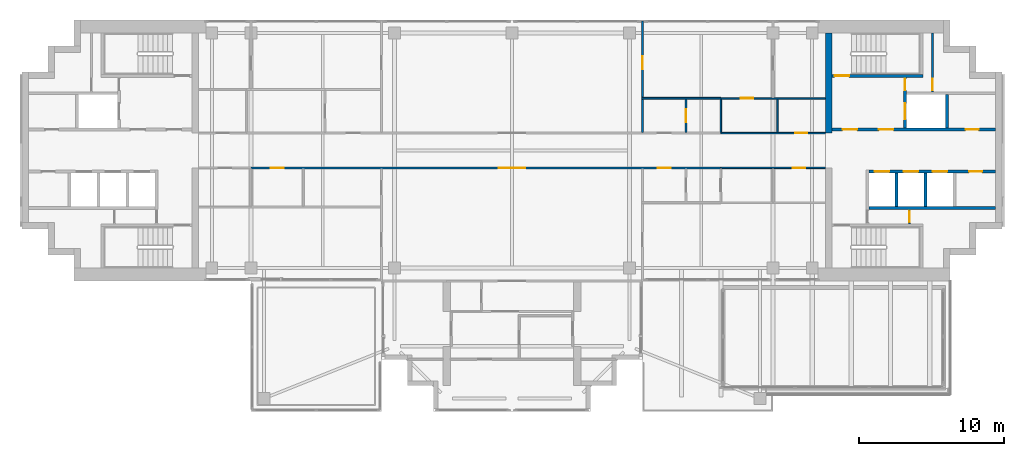
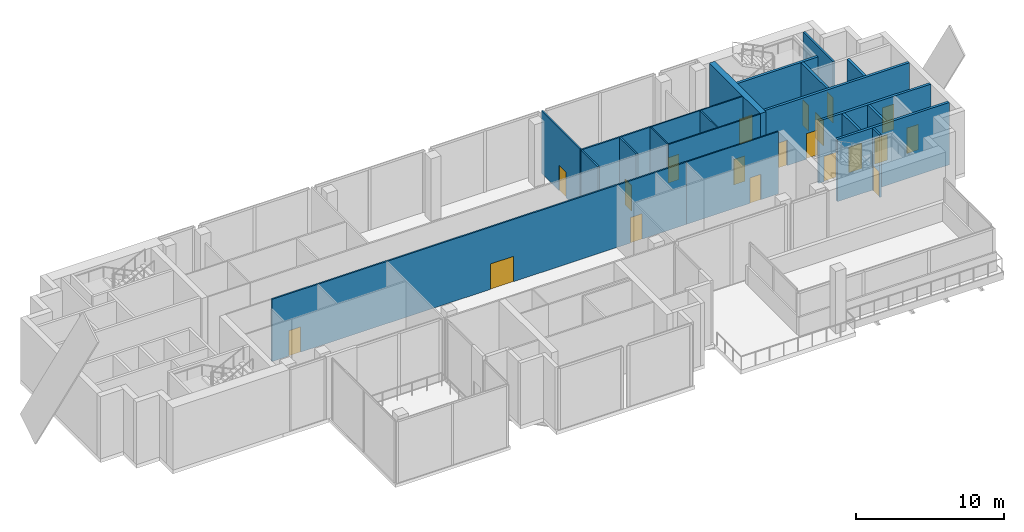
# One storey, part 9 of 14: 20 doors, 20 walls, 20 openings.
"""IFC4 building model written with IfcOpenShell, lengths in metres."""

from ifc_helpers import new_model, si_unit, direction, frame, frame_2d, origin, place, context, subcontext, project, spatial, rectangle, extrude, material, layer, layer_set, type_object, element, fill, save


model = new_model("IFC4")

# Units and contexts
model_context = context("Model", 3, precision=1e-05, world=origin(), true_north=direction((0.0, 1.0)))
body_context = subcontext(model_context, "Body", "Model", "MODEL_VIEW")
ifc_project = project(units=[si_unit("LENGTHUNIT", "METRE"), si_unit("AREAUNIT", "SQUARE_METRE"), si_unit("VOLUMEUNIT", "CUBIC_METRE"), si_unit("PLANEANGLEUNIT", "RADIAN"), si_unit("MASSUNIT", "GRAM", prefix="KILO")], contexts=[model_context])

# Site, building, storey
site_placement = place(None, origin())
site = spatial("IfcSite", under=ifc_project, at=site_placement, CompositionType="ELEMENT")
building_placement = place(site_placement, origin())
building = spatial("IfcBuilding", under=site, at=building_placement, Name="Perihelion Cross Residences", CompositionType="ELEMENT")
storey_placement = place(building_placement, frame((0.0, 0.0, 285.0)))
storey = spatial("IfcBuildingStorey", under=building, at=storey_placement, Name="L73", CompositionType="ELEMENT", Elevation=285.0)

# Wall
ifc_material_1 = material(Name="Concrete C60/75", Category="concrete")
ifc_layer_1 = layer(ifc_material_1, 0.449951171875)
ifc_layer_set_1 = layer_set([ifc_layer_1], Name="Core wall, inner 450")
wall_type_1 = type_object("IfcWallType", Name="Core wall, inner 450", PredefinedType="SHEAR", material=ifc_layer_set_1)
wall_1_placement = place(storey_placement, frame((21.824951171875, 1.199951171875, 0.0), z_axis=(0.0, 0.0, 1.0), x_axis=(0.0, 1.0, 0.0)))
element("IfcWall", 1, at=wall_1_placement, inside=storey, type_object=wall_type_1, Name="East core core wall, inner", PredefinedType="SHEAR", context=body_context, shape_type="SweptSolid", body=[
    extrude(rectangle(XDim=6.900146484375, YDim=0.449951171875, at=frame_2d((3.4501953125, 0.0))), origin(), (0.0, 0.0, 1.0), 5.14990234375),
])

# Wall, openings, doors
ifc_material_2 = material(Name="Plasterboard partition")
ifc_layer_2 = layer(ifc_material_2, 0.1201171875)
ifc_layer_set_2 = layer_set([ifc_layer_2], Name="Partition wall 120")
wall_type_2 = type_object("IfcWallType", Name="Partition wall 120", PredefinedType="PARTITIONING", material=ifc_layer_set_2)
wall_2_placement = place(storey_placement, frame((14.39990234375, -1.199951171875, 0.0), z_axis=(0.0, 0.0, 1.0), x_axis=(-1.0, 0.0, 0.0)))
wall_2 = element("IfcWall", 2, at=wall_2_placement, inside=storey, type_object=wall_type_2, Name="Partition L73 W002", PredefinedType="PARTITIONING", context=body_context, shape_type="SweptSolid", body=[
    extrude(rectangle(XDim=32.39990234375, YDim=0.1201171875, at=frame_2d((16.199951171875, 0.0))), origin(), (0.0, 0.0, 1.0), 5.14990234375),
])
opening_1_placement = place(wall_2_placement, frame((13.5, 0.0, 0.0)))
opening_1 = element("IfcOpeningElement", 3, at=opening_1_placement, cuts=wall_2, Name="Opening L73.A02", PredefinedType="OPENING", context=body_context, shape_type="SweptSolid", body=[
    extrude(rectangle(XDim=1.800048828125, YDim=2.10009765625, at=frame_2d((0.89990234375, 1.050048828125))), frame((0.0, 0.070068359375, 0.0), z_axis=(0.0, -1.0, 0.0), x_axis=(1.0, 0.0, 0.0)), (0.0, 0.0, 1.0), 0.14013671875),
])
opening_2_placement = place(wall_2_placement, frame((3.449951171875, 0.0, 0.0)))
opening_2 = element("IfcOpeningElement", 4, at=opening_2_placement, cuts=wall_2, Name="Opening L73.A05", PredefinedType="OPENING", context=body_context, shape_type="SweptSolid", body=[
    extrude(rectangle(XDim=0.89990234375, YDim=2.10009765625, at=frame_2d((0.449951171875, 1.050048828125))), frame((0.0, 0.070068359375, 0.0), z_axis=(0.0, -1.0, 0.0), x_axis=(1.0, 0.0, 0.0)), (0.0, 0.0, 1.0), 0.14013671875),
])
opening_3_placement = place(wall_2_placement, frame((30.14990234375, 0.0, 0.0)))
opening_3 = element("IfcOpeningElement", 5, at=opening_3_placement, cuts=wall_2, Name="Opening L73.A09", PredefinedType="OPENING", context=body_context, shape_type="SweptSolid", body=[
    extrude(rectangle(XDim=0.89990234375, YDim=2.10009765625, at=frame_2d((0.449951171875, 1.050048828125))), frame((0.0, 0.070068359375, 0.0), z_axis=(0.0, -1.0, 0.0), x_axis=(1.0, 0.0, 0.0)), (0.0, 0.0, 1.0), 0.14013671875),
])
ifc_material_3 = material(Name="Glazed timber door leaf", Category="wood")
door_type_1 = type_object("IfcDoorType", Name="Interior double leaf door 1800 x 2100", OperationType="DOUBLE_DOOR_SINGLE_SWING", PredefinedType="DOOR", material=ifc_material_3)
door_1_placement = place(opening_1_placement, origin())
door_1 = element("IfcDoor", 6, at=door_1_placement, inside=storey, type_object=door_type_1, Name="Door L73.A02", OperationType="SINGLE_SWING_LEFT", OverallHeight=2.10009765625, OverallWidth=1.800048828125, PredefinedType="DOOR", context=body_context, shape_type="SweptSolid", body=[
    extrude(rectangle(XDim=1.800048828125, YDim=2.10009765625, at=frame_2d((0.89990234375, 1.050048828125))), frame((0.0, 0.02490234375, 0.0), z_axis=(0.0, -1.0, 0.0), x_axis=(1.0, 0.0, 0.0)), (0.0, 0.0, 1.0), 0.050048828125),
])
fill(opening_1, door_1)
ifc_material_4 = material(Name="Timber door leaf", Category="wood")
door_type_2 = type_object("IfcDoorType", Name="Interior room door 900 x 2100", OperationType="SINGLE_SWING_LEFT", PredefinedType="DOOR", material=ifc_material_4)
door_2_placement = place(opening_2_placement, origin())
door_2 = element("IfcDoor", 7, at=door_2_placement, inside=storey, type_object=door_type_2, Name="Door L73.A05", OperationType="SINGLE_SWING_LEFT", OverallHeight=2.10009765625, OverallWidth=0.89990234375, PredefinedType="DOOR", context=body_context, shape_type="SweptSolid", body=[
    extrude(rectangle(XDim=0.89990234375, YDim=2.10009765625, at=frame_2d((0.449951171875, 1.050048828125))), frame((0.0, 0.02490234375, 0.0), z_axis=(0.0, -1.0, 0.0), x_axis=(1.0, 0.0, 0.0)), (0.0, 0.0, 1.0), 0.050048828125),
])
fill(opening_2, door_2)
door_3_placement = place(opening_3_placement, origin())
door_3 = element("IfcDoor", 8, at=door_3_placement, inside=storey, type_object=door_type_2, Name="Door L73.A09", OperationType="SINGLE_SWING_LEFT", OverallHeight=2.10009765625, OverallWidth=0.89990234375, PredefinedType="DOOR", context=body_context, shape_type="SweptSolid", body=[
    extrude(rectangle(XDim=0.89990234375, YDim=2.10009765625, at=frame_2d((0.449951171875, 1.050048828125))), frame((0.0, 0.02490234375, 0.0), z_axis=(0.0, -1.0, 0.0), x_axis=(1.0, 0.0, 0.0)), (0.0, 0.0, 1.0), 0.050048828125),
])
fill(opening_3, door_3)

# Wall, opening, door
wall_3_placement = place(storey_placement, frame((9.0, 8.919921875, 0.0), z_axis=(0.0, 0.0, 1.0), x_axis=(0.0, -1.0, 0.0)))
wall_3 = element("IfcWall", 9, at=wall_3_placement, inside=storey, type_object=wall_type_2, Name="Partition L73 W007", PredefinedType="PARTITIONING", context=body_context, shape_type="SweptSolid", body=[
    extrude(rectangle(XDim=7.659912109375, YDim=0.1201171875, at=frame_2d((3.830078125, 0.0))), origin(), (0.0, 0.0, 1.0), 5.14990234375),
])
opening_4_placement = place(wall_3_placement, frame((2.419921875, 0.0, 0.0)))
opening_4 = element("IfcOpeningElement", 10, at=opening_4_placement, cuts=wall_3, Name="Opening L73.A15", PredefinedType="OPENING", context=body_context, shape_type="SweptSolid", body=[
    extrude(rectangle(XDim=0.89990234375, YDim=2.10009765625, at=frame_2d((0.449951171875, 1.050048828125))), frame((0.0, 0.070068359375, 0.0), z_axis=(0.0, -1.0, 0.0), x_axis=(1.0, 0.0, 0.0)), (0.0, 0.0, 1.0), 0.14013671875),
])
door_4_placement = place(opening_4_placement, origin())
door_4 = element("IfcDoor", 11, at=door_4_placement, inside=storey, type_object=door_type_2, Name="Door L73.A15", OperationType="SINGLE_SWING_RIGHT", OverallHeight=2.10009765625, OverallWidth=0.89990234375, PredefinedType="DOOR", context=body_context, shape_type="SweptSolid", body=[
    extrude(rectangle(XDim=0.89990234375, YDim=2.10009765625, at=frame_2d((0.449951171875, 1.050048828125))), frame((0.0, 0.02490234375, 0.0), z_axis=(0.0, -1.0, 0.0), x_axis=(1.0, 0.0, 0.0)), (0.0, 0.0, 1.0), 0.050048828125),
])
fill(opening_4, door_4)

# Wall
wall_4_placement = place(storey_placement, frame((14.39990234375, 3.60009765625, 0.0), z_axis=(0.0, 0.0, 1.0), x_axis=(-1.0, 0.0, 0.0)))
element("IfcWall", 12, at=wall_4_placement, inside=storey, type_object=wall_type_2, Name="Partition L73 W015", PredefinedType="PARTITIONING", context=body_context, shape_type="SweptSolid", body=[
    extrude(rectangle(XDim=5.4599609375, YDim=0.1201171875, at=frame_2d((2.72998046875, 0.0))), origin(), (0.0, 0.0, 1.0), 5.14990234375),
])

# Wall, opening, door
wall_5_placement = place(storey_placement, frame((12.0, 3.5400390625, 0.0), z_axis=(0.0, 0.0, 1.0), x_axis=(0.0, -1.0, 0.0)))
wall_5 = element("IfcWall", 13, at=wall_5_placement, inside=storey, type_object=wall_type_2, Name="Partition L73 W017", PredefinedType="PARTITIONING", context=body_context, shape_type="SweptSolid", body=[
    extrude(rectangle(XDim=2.280029296875, YDim=0.1201171875, at=frame_2d((1.14013671875, 0.0))), origin(), (0.0, 0.0, 1.0), 5.14990234375),
])
opening_5_placement = place(wall_5_placement, frame((0.68994140625, 0.0, 0.0)))
opening_5 = element("IfcOpeningElement", 14, at=opening_5_placement, cuts=wall_5, Name="Opening L73.A19", PredefinedType="OPENING", context=body_context, shape_type="SweptSolid", body=[
    extrude(rectangle(XDim=0.89990234375, YDim=2.10009765625, at=frame_2d((0.449951171875, 1.050048828125))), frame((0.0, 0.070068359375, 0.0), z_axis=(0.0, -1.0, 0.0), x_axis=(1.0, 0.0, 0.0)), (0.0, 0.0, 1.0), 0.14013671875),
])
door_5_placement = place(opening_5_placement, origin())
door_5 = element("IfcDoor", 15, at=door_5_placement, inside=storey, type_object=door_type_2, Name="Door L73.A19", OperationType="SINGLE_SWING_RIGHT", OverallHeight=2.10009765625, OverallWidth=0.89990234375, PredefinedType="DOOR", context=body_context, shape_type="SweptSolid", body=[
    extrude(rectangle(XDim=0.89990234375, YDim=2.10009765625, at=frame_2d((0.449951171875, 1.050048828125))), frame((0.0, 0.02490234375, 0.0), z_axis=(0.0, -1.0, 0.0), x_axis=(1.0, 0.0, 0.0)), (0.0, 0.0, 1.0), 0.050048828125),
])
fill(opening_5, door_5)

ifc_material_5 = material(Name="Fire-rated board on steel stud", Category="steel")
ifc_layer_3 = layer(ifc_material_5, 0.14990234375)
ifc_layer_set_3 = layer_set([ifc_layer_3], Name="Riser wall 150")
wall_type_3 = type_object("IfcWallType", Name="Riser wall 150", PredefinedType="PARTITIONING", material=ifc_layer_set_3)
wall_6_placement = place(storey_placement, frame((29.0, 4.050048828125, 0.0), z_axis=(0.0, 0.0, 1.0), x_axis=(0.0, 1.0, 0.0)))
wall_6 = element("IfcWall", 16, at=wall_6_placement, inside=storey, type_object=wall_type_3, Name="East core riser wall", PredefinedType="PARTITIONING", context=body_context, shape_type="SweptSolid", body=[
    extrude(rectangle(XDim=4.050048828125, YDim=0.14990234375, at=frame_2d((2.02490234375, 0.0))), origin(), (0.0, 0.0, 1.0), 5.14990234375),
])
opening_6_placement = place(wall_6_placement, frame((0.10009765625, 0.0, 0.0)))
opening_6 = element("IfcOpeningElement", 17, at=opening_6_placement, cuts=wall_6, Name="Opening L73.C12", PredefinedType="OPENING", context=body_context, shape_type="SweptSolid", body=[
    extrude(rectangle(XDim=0.800048828125, YDim=2.10009765625, at=frame_2d((0.39990234375, 1.050048828125))), frame((0.0, 0.0849609375, 0.0), z_axis=(0.0, -1.0, 0.0), x_axis=(1.0, 0.0, 0.0)), (0.0, 0.0, 1.0), 0.169921875),
])
ifc_material_6 = material(Name="Steel, powder coated", Category="steel")
door_type_3 = type_object("IfcDoorType", Name="Riser door 800", OperationType="SINGLE_SWING_LEFT", PredefinedType="DOOR", material=ifc_material_6)
door_6_placement = place(opening_6_placement, origin())
door_6 = element("IfcDoor", 18, at=door_6_placement, inside=storey, type_object=door_type_3, Name="East core riser door", OperationType="SINGLE_SWING_LEFT", OverallHeight=2.10009765625, OverallWidth=0.800048828125, PredefinedType="DOOR", context=body_context, shape_type="SweptSolid", body=[
    extrude(rectangle(XDim=0.800048828125, YDim=2.10009765625, at=frame_2d((0.39990234375, 1.050048828125))), frame((0.0, 0.02490234375, 0.0), z_axis=(0.0, -1.0, 0.0), x_axis=(1.0, 0.0, 0.0)), (0.0, 0.0, 1.0), 0.050048828125),
])
fill(opening_6, door_6)

wall_7_placement = place(storey_placement, frame((27.39990234375, -5.050048828125, 0.0), z_axis=(0.0, 0.0, 1.0), x_axis=(0.0, 1.0, 0.0)))
wall_7 = element("IfcWall", 19, at=wall_7_placement, inside=storey, type_object=wall_type_3, Name="East core riser wall", PredefinedType="PARTITIONING", context=body_context, shape_type="SweptSolid", body=[
    extrude(rectangle(XDim=1.0, YDim=0.14990234375, at=frame_2d((0.5, 0.0))), origin(), (0.0, 0.0, 1.0), 5.14990234375),
])
opening_7_placement = place(wall_7_placement, frame((0.10009765625, 0.0, 0.0)))
opening_7 = element("IfcOpeningElement", 20, at=opening_7_placement, cuts=wall_7, Name="Opening L73.C11", PredefinedType="OPENING", context=body_context, shape_type="SweptSolid", body=[
    extrude(rectangle(XDim=0.800048828125, YDim=2.10009765625, at=frame_2d((0.39990234375, 1.050048828125))), frame((0.0, 0.0849609375, 0.0), z_axis=(0.0, -1.0, 0.0), x_axis=(1.0, 0.0, 0.0)), (0.0, 0.0, 1.0), 0.169921875),
])
door_7_placement = place(opening_7_placement, origin())
door_7 = element("IfcDoor", 21, at=door_7_placement, inside=storey, type_object=door_type_3, Name="East core riser door", OperationType="SINGLE_SWING_LEFT", OverallHeight=2.10009765625, OverallWidth=0.800048828125, PredefinedType="DOOR", context=body_context, shape_type="SweptSolid", body=[
    extrude(rectangle(XDim=0.800048828125, YDim=2.10009765625, at=frame_2d((0.39990234375, 1.050048828125))), frame((0.0, 0.02490234375, 0.0), z_axis=(0.0, -1.0, 0.0), x_axis=(1.0, 0.0, 0.0)), (0.0, 0.0, 1.0), 0.050048828125),
])
fill(opening_7, door_7)

# Wall, openings, doors
ifc_material_7 = material(Name="Concrete C50/60", Category="concrete")
ifc_layer_4 = layer(ifc_material_7, 0.199951171875)
ifc_layer_set_4 = layer_set([ifc_layer_4], Name="Shaft wall 200")
wall_type_4 = type_object("IfcWallType", Name="Shaft wall 200", PredefinedType="SOLIDWALL", material=ifc_layer_set_4)
wall_8_placement = place(storey_placement, frame((22.050048828125, 1.449951171875, 0.0), z_axis=(0.0, 0.0, 1.0), x_axis=(1.0, 0.0, 0.0)))
wall_8 = element("IfcWall", 22, at=wall_8_placement, inside=storey, type_object=wall_type_4, Name="East core shaft wall", PredefinedType="SOLIDWALL", context=body_context, shape_type="SweptSolid", body=[
    extrude(rectangle(XDim=11.300048828125, YDim=0.199951171875, at=frame_2d((5.64990234375, 0.0))), origin(), (0.0, 0.0, 1.0), 5.14990234375),
])
opening_8_placement = place(wall_8_placement, frame((0.75, 0.0, 0.0)))
opening_8 = element("IfcOpeningElement", 23, at=opening_8_placement, cuts=wall_8, Name="Opening L73.C07", PredefinedType="OPENING", context=body_context, shape_type="SweptSolid", body=[
    extrude(rectangle(XDim=1.0, YDim=2.10009765625, at=frame_2d((0.5, 1.050048828125))), frame((0.0, 0.10986328125, 0.0), z_axis=(0.0, -1.0, 0.0), x_axis=(1.0, 0.0, 0.0)), (0.0, 0.0, 1.0), 0.219970703125),
])
opening_9_placement = place(wall_8_placement, frame((3.25, 0.0, 0.0)))
opening_9 = element("IfcOpeningElement", 24, at=opening_9_placement, cuts=wall_8, Name="Opening L73.C09", PredefinedType="OPENING", context=body_context, shape_type="SweptSolid", body=[
    extrude(rectangle(XDim=1.0, YDim=2.10009765625, at=frame_2d((0.5, 1.050048828125))), frame((0.0, 0.10986328125, 0.0), z_axis=(0.0, -1.0, 0.0), x_axis=(1.0, 0.0, 0.0)), (0.0, 0.0, 1.0), 0.219970703125),
])
opening_10_placement = place(wall_8_placement, frame((9.22509765625, 0.0, 0.0)))
opening_10 = element("IfcOpeningElement", 25, at=opening_10_placement, cuts=wall_8, Name="Opening L73.C13", PredefinedType="OPENING", context=body_context, shape_type="SweptSolid", body=[
    extrude(rectangle(XDim=0.89990234375, YDim=2.10009765625, at=frame_2d((0.449951171875, 1.050048828125))), frame((0.0, 0.10986328125, 0.0), z_axis=(0.0, -1.0, 0.0), x_axis=(1.0, 0.0, 0.0)), (0.0, 0.0, 1.0), 0.219970703125),
])
ifc_material_8 = material(Name="Steel, powder coated", Category="steel")
door_type_4 = type_object("IfcDoorType", Name="Lobby door 1000", OperationType="SINGLE_SWING_LEFT", PredefinedType="DOOR", material=ifc_material_8)
door_8_placement = place(opening_8_placement, origin())
door_8 = element("IfcDoor", 26, at=door_8_placement, inside=storey, type_object=door_type_4, Name="East core firefighting lobby door", OperationType="SINGLE_SWING_LEFT", OverallHeight=2.10009765625, OverallWidth=1.0, PredefinedType="DOOR", context=body_context, shape_type="SweptSolid", body=[
    extrude(rectangle(XDim=1.0, YDim=2.10009765625, at=frame_2d((0.5, 1.050048828125))), frame((0.0, 0.02490234375, 0.0), z_axis=(0.0, -1.0, 0.0), x_axis=(1.0, 0.0, 0.0)), (0.0, 0.0, 1.0), 0.050048828125),
])
fill(opening_8, door_8)
door_9_placement = place(opening_9_placement, origin())
door_9 = element("IfcDoor", 27, at=door_9_placement, inside=storey, type_object=door_type_4, Name="East core firefighting lobby door", OperationType="SINGLE_SWING_LEFT", OverallHeight=2.10009765625, OverallWidth=1.0, PredefinedType="DOOR", context=body_context, shape_type="SweptSolid", body=[
    extrude(rectangle(XDim=1.0, YDim=2.10009765625, at=frame_2d((0.5, 1.050048828125))), frame((0.0, 0.02490234375, 0.0), z_axis=(0.0, -1.0, 0.0), x_axis=(1.0, 0.0, 0.0)), (0.0, 0.0, 1.0), 0.050048828125),
])
fill(opening_9, door_9)
ifc_material_9 = material(Name="Steel, powder coated", Category="steel")
door_type_5 = type_object("IfcDoorType", Name="Service room door 900", OperationType="SINGLE_SWING_LEFT", PredefinedType="DOOR", material=ifc_material_9)
door_10_placement = place(opening_10_placement, origin())
door_10 = element("IfcDoor", 28, at=door_10_placement, inside=storey, type_object=door_type_5, Name="East core service room door", OperationType="SINGLE_SWING_LEFT", OverallHeight=2.10009765625, OverallWidth=0.89990234375, PredefinedType="DOOR", context=body_context, shape_type="SweptSolid", body=[
    extrude(rectangle(XDim=0.89990234375, YDim=2.10009765625, at=frame_2d((0.449951171875, 1.050048828125))), frame((0.0, 0.02490234375, 0.0), z_axis=(0.0, -1.0, 0.0), x_axis=(1.0, 0.0, 0.0)), (0.0, 0.0, 1.0), 0.050048828125),
])
fill(opening_10, door_10)

wall_9_placement = place(storey_placement, frame((24.60009765625, -1.449951171875, 0.0), z_axis=(0.0, 0.0, 1.0), x_axis=(1.0, 0.0, 0.0)))
wall_9 = element("IfcWall", 29, at=wall_9_placement, inside=storey, type_object=wall_type_4, Name="East core shaft wall", PredefinedType="SOLIDWALL", context=body_context, shape_type="SweptSolid", body=[
    extrude(rectangle(XDim=8.75, YDim=0.199951171875, at=frame_2d((4.375, 0.0))), origin(), (0.0, 0.0, 1.0), 5.14990234375),
])
opening_11_placement = place(wall_9_placement, frame((0.39990234375, 0.0, 0.0)))
opening_11 = element("IfcOpeningElement", 30, at=opening_11_placement, cuts=wall_9, Name="Opening L73.C01", PredefinedType="OPENING", context=body_context, shape_type="SweptSolid", body=[
    extrude(rectangle(XDim=1.0, YDim=2.10009765625, at=frame_2d((0.5, 1.050048828125))), frame((0.0, 0.10986328125, 0.0), z_axis=(0.0, -1.0, 0.0), x_axis=(1.0, 0.0, 0.0)), (0.0, 0.0, 1.0), 0.219970703125),
])
opening_12_placement = place(wall_9_placement, frame((2.39990234375, 0.0, 0.0)))
opening_12 = element("IfcOpeningElement", 31, at=opening_12_placement, cuts=wall_9, Name="Opening L73.C03", PredefinedType="OPENING", context=body_context, shape_type="SweptSolid", body=[
    extrude(rectangle(XDim=1.0, YDim=2.10009765625, at=frame_2d((0.5, 1.050048828125))), frame((0.0, 0.10986328125, 0.0), z_axis=(0.0, -1.0, 0.0), x_axis=(1.0, 0.0, 0.0)), (0.0, 0.0, 1.0), 0.219970703125),
])
opening_13_placement = place(wall_9_placement, frame((4.39990234375, 0.0, 0.0)))
opening_13 = element("IfcOpeningElement", 32, at=opening_13_placement, cuts=wall_9, Name="Opening L73.C04", PredefinedType="OPENING", context=body_context, shape_type="SweptSolid", body=[
    extrude(rectangle(XDim=1.0, YDim=2.10009765625, at=frame_2d((0.5, 1.050048828125))), frame((0.0, 0.10986328125, 0.0), z_axis=(0.0, -1.0, 0.0), x_axis=(1.0, 0.0, 0.0)), (0.0, 0.0, 1.0), 0.219970703125),
])
opening_14_placement = place(wall_9_placement, frame((6.925048828125, 0.0, 0.0)))
opening_14 = element("IfcOpeningElement", 33, at=opening_14_placement, cuts=wall_9, Name="Opening L73.C14", PredefinedType="OPENING", context=body_context, shape_type="SweptSolid", body=[
    extrude(rectangle(XDim=0.89990234375, YDim=2.10009765625, at=frame_2d((0.449951171875, 1.050048828125))), frame((0.0, 0.10986328125, 0.0), z_axis=(0.0, -1.0, 0.0), x_axis=(1.0, 0.0, 0.0)), (0.0, 0.0, 1.0), 0.219970703125),
])
ifc_material_10 = material(Name="Stainless steel", Category="steel")
door_type_6 = type_object("IfcDoorType", Name="Landing door 1000", OperationType="DOUBLE_DOOR_SLIDING", PredefinedType="DOOR", material=ifc_material_10)
door_11_placement = place(opening_11_placement, origin())
door_11 = element("IfcDoor", 34, at=door_11_placement, inside=storey, type_object=door_type_6, Name="Landing door, East core high-rise lift 1", OperationType="DOUBLE_DOOR_SLIDING", OverallHeight=2.10009765625, OverallWidth=1.0, PredefinedType="DOOR", context=body_context, shape_type="SweptSolid", body=[
    extrude(rectangle(XDim=1.0, YDim=2.10009765625, at=frame_2d((0.5, 1.050048828125))), frame((0.0, 0.02490234375, 0.0), z_axis=(0.0, -1.0, 0.0), x_axis=(1.0, 0.0, 0.0)), (0.0, 0.0, 1.0), 0.050048828125),
])
fill(opening_11, door_11)
door_12_placement = place(opening_12_placement, origin())
door_12 = element("IfcDoor", 35, at=door_12_placement, inside=storey, type_object=door_type_6, Name="Landing door, East core high-rise lift 2", OperationType="DOUBLE_DOOR_SLIDING", OverallHeight=2.10009765625, OverallWidth=1.0, PredefinedType="DOOR", context=body_context, shape_type="SweptSolid", body=[
    extrude(rectangle(XDim=1.0, YDim=2.10009765625, at=frame_2d((0.5, 1.050048828125))), frame((0.0, 0.02490234375, 0.0), z_axis=(0.0, -1.0, 0.0), x_axis=(1.0, 0.0, 0.0)), (0.0, 0.0, 1.0), 0.050048828125),
])
fill(opening_12, door_12)
door_13_placement = place(opening_13_placement, origin())
door_13 = element("IfcDoor", 36, at=door_13_placement, inside=storey, type_object=door_type_6, Name="Landing door, East core high-rise lift 3", OperationType="DOUBLE_DOOR_SLIDING", OverallHeight=2.10009765625, OverallWidth=1.0, PredefinedType="DOOR", context=body_context, shape_type="SweptSolid", body=[
    extrude(rectangle(XDim=1.0, YDim=2.10009765625, at=frame_2d((0.5, 1.050048828125))), frame((0.0, 0.02490234375, 0.0), z_axis=(0.0, -1.0, 0.0), x_axis=(1.0, 0.0, 0.0)), (0.0, 0.0, 1.0), 0.050048828125),
])
fill(opening_13, door_13)
door_14_placement = place(opening_14_placement, origin())
door_14 = element("IfcDoor", 37, at=door_14_placement, inside=storey, type_object=door_type_5, Name="East core service room door", OperationType="SINGLE_SWING_LEFT", OverallHeight=2.10009765625, OverallWidth=0.89990234375, PredefinedType="DOOR", context=body_context, shape_type="SweptSolid", body=[
    extrude(rectangle(XDim=0.89990234375, YDim=2.10009765625, at=frame_2d((0.449951171875, 1.050048828125))), frame((0.0, 0.02490234375, 0.0), z_axis=(0.0, -1.0, 0.0), x_axis=(1.0, 0.0, 0.0)), (0.0, 0.0, 1.0), 0.050048828125),
])
fill(opening_14, door_14)

# Wall
wall_10_placement = place(storey_placement, frame((24.60009765625, -3.949951171875, 0.0), z_axis=(0.0, 0.0, 1.0), x_axis=(1.0, 0.0, 0.0)))
element("IfcWall", 38, at=wall_10_placement, inside=storey, type_object=wall_type_4, Name="East core shaft wall", PredefinedType="SOLIDWALL", context=body_context, shape_type="SweptSolid", body=[
    extrude(rectangle(XDim=8.75, YDim=0.199951171875, at=frame_2d((4.375, 0.0))), origin(), (0.0, 0.0, 1.0), 5.14990234375),
])

# Wall, openings, doors
wall_11_placement = place(storey_placement, frame((27.10009765625, 1.550048828125, 0.0), z_axis=(0.0, 0.0, 1.0), x_axis=(0.0, 1.0, 0.0)))
wall_11 = element("IfcWall", 39, at=wall_11_placement, inside=storey, type_object=wall_type_4, Name="East core shaft wall", PredefinedType="SOLIDWALL", context=body_context, shape_type="SweptSolid", body=[
    extrude(rectangle(XDim=3.5, YDim=0.199951171875, at=frame_2d((1.75, 0.0))), origin(), (0.0, 0.0, 1.0), 5.14990234375),
])
opening_15_placement = place(wall_11_placement, frame((0.60009765625, 0.0, 0.0)))
opening_15 = element("IfcOpeningElement", 40, at=opening_15_placement, cuts=wall_11, Name="Opening L73.C02", PredefinedType="OPENING", context=body_context, shape_type="SweptSolid", body=[
    extrude(rectangle(XDim=1.10009765625, YDim=2.10009765625, at=frame_2d((0.550048828125, 1.050048828125))), frame((0.0, 0.10986328125, 0.0), z_axis=(0.0, -1.0, 0.0), x_axis=(1.0, 0.0, 0.0)), (0.0, 0.0, 1.0), 0.219970703125),
])
opening_16_placement = place(wall_11_placement, frame((2.60009765625, 0.0, 0.0)))
opening_16 = element("IfcOpeningElement", 41, at=opening_16_placement, cuts=wall_11, Name="Opening L73.C10", PredefinedType="OPENING", context=body_context, shape_type="SweptSolid", body=[
    extrude(rectangle(XDim=0.800048828125, YDim=2.10009765625, at=frame_2d((0.39990234375, 1.050048828125))), frame((0.0, 0.10986328125, 0.0), z_axis=(0.0, -1.0, 0.0), x_axis=(1.0, 0.0, 0.0)), (0.0, 0.0, 1.0), 0.219970703125),
])
ifc_material_11 = material(Name="Stainless steel", Category="steel")
door_type_7 = type_object("IfcDoorType", Name="Landing door, firefighting lift 1100", OperationType="DOUBLE_DOOR_SLIDING", PredefinedType="DOOR", material=ifc_material_11)
door_15_placement = place(opening_15_placement, origin())
door_15 = element("IfcDoor", 42, at=door_15_placement, inside=storey, type_object=door_type_7, Name="Landing door, East core firefighting and service lift", OperationType="DOUBLE_DOOR_SLIDING", OverallHeight=2.10009765625, OverallWidth=1.10009765625, PredefinedType="DOOR", context=body_context, shape_type="SweptSolid", body=[
    extrude(rectangle(XDim=1.10009765625, YDim=2.10009765625, at=frame_2d((0.550048828125, 1.050048828125))), frame((0.0, 0.02490234375, 0.0), z_axis=(0.0, -1.0, 0.0), x_axis=(1.0, 0.0, 0.0)), (0.0, 0.0, 1.0), 0.050048828125),
])
fill(opening_15, door_15)
door_16_placement = place(opening_16_placement, origin())
door_16 = element("IfcDoor", 43, at=door_16_placement, inside=storey, type_object=door_type_3, Name="East core riser door", OperationType="SINGLE_SWING_LEFT", OverallHeight=2.10009765625, OverallWidth=0.800048828125, PredefinedType="DOOR", context=body_context, shape_type="SweptSolid", body=[
    extrude(rectangle(XDim=0.800048828125, YDim=2.10009765625, at=frame_2d((0.39990234375, 1.050048828125))), frame((0.0, 0.02490234375, 0.0), z_axis=(0.0, -1.0, 0.0), x_axis=(1.0, 0.0, 0.0)), (0.0, 0.0, 1.0), 0.050048828125),
])
fill(opening_16, door_16)

# Walls
for number, where, z_axis, x_axis, name in (
    (44, (30.0, 1.550048828125, 0.0), (0.0, 0.0, 1.0), (0.0, 1.0, 0.0), "East core shaft wall"),
    (45, (26.5, -3.85009765625, 0.0), (0.0, 0.0, 1.0), (0.0, 1.0, 0.0), "East core shaft wall"),
    (46, (28.5, -3.85009765625, 0.0), (0.0, 0.0, 1.0), (0.0, 1.0, 0.0), "East core shaft wall"),
):
    element("IfcWall", number, at=place(storey_placement, frame(where, z_axis=z_axis, x_axis=x_axis)), inside=storey, type_object=wall_type_4, Name=name, PredefinedType="SOLIDWALL", context=body_context, shape_type="SweptSolid", body=[
        extrude(rectangle(XDim=2.300048828125, YDim=0.199951171875, at=frame_2d((1.14990234375, 0.0))), origin(), (0.0, 0.0, 1.0), 5.14990234375),
    ])

# Wall, opening, door
ifc_material_12 = material(Name="Concrete C50/60", Category="concrete")
ifc_layer_5 = layer(ifc_material_12, 0.199951171875)
ifc_layer_set_5 = layer_set([ifc_layer_5], Name="Stair wall 200")
wall_type_5 = type_object("IfcWallType", Name="Stair wall 200", PredefinedType="SOLIDWALL", material=ifc_layer_set_5)
wall_12_placement = place(storey_placement, frame((22.050048828125, 5.14990234375, 0.0), z_axis=(0.0, 0.0, 1.0), x_axis=(1.0, 0.0, 0.0)))
wall_12 = element("IfcWall", 47, at=wall_12_placement, inside=storey, type_object=wall_type_5, Name="East core stair wall", PredefinedType="SOLIDWALL", context=body_context, shape_type="SweptSolid", body=[
    extrude(rectangle(XDim=6.300048828125, YDim=0.199951171875, at=frame_2d((3.14990234375, 0.0))), origin(), (0.0, 0.0, 1.0), 5.14990234375),
])
opening_17_placement = place(wall_12_placement, frame((0.199951171875, 0.0, 0.0)))
opening_17 = element("IfcOpeningElement", 48, at=opening_17_placement, cuts=wall_12, Name="Opening L73.C06", PredefinedType="OPENING", context=body_context, shape_type="SweptSolid", body=[
    extrude(rectangle(XDim=1.0, YDim=2.10009765625, at=frame_2d((0.5, 1.050048828125))), frame((0.0, 0.10986328125, 0.0), z_axis=(0.0, -1.0, 0.0), x_axis=(1.0, 0.0, 0.0)), (0.0, 0.0, 1.0), 0.219970703125),
])
ifc_material_13 = material(Name="Steel, powder coated", Category="steel")
door_type_8 = type_object("IfcDoorType", Name="Stair door 1000", OperationType="SINGLE_SWING_LEFT", PredefinedType="DOOR", material=ifc_material_13)
door_17_placement = place(opening_17_placement, origin())
door_17 = element("IfcDoor", 49, at=door_17_placement, inside=storey, type_object=door_type_8, Name="East core stair door", OperationType="SINGLE_SWING_LEFT", OverallHeight=2.10009765625, OverallWidth=1.0, PredefinedType="DOOR", context=body_context, shape_type="SweptSolid", body=[
    extrude(rectangle(XDim=1.0, YDim=2.10009765625, at=frame_2d((0.5, 1.050048828125))), frame((0.0, 0.02490234375, 0.0), z_axis=(0.0, -1.0, 0.0), x_axis=(1.0, 0.0, 0.0)), (0.0, 0.0, 1.0), 0.050048828125),
])
fill(opening_17, door_17)

ifc_material_14 = material(Name="Plasterboard partition")
ifc_layer_6 = layer(ifc_material_14, 0.10009765625)
ifc_layer_set_6 = layer_set([ifc_layer_6], Name="Wet room wall 100")
wall_type_6 = type_object("IfcWallType", Name="Wet room wall 100", PredefinedType="PARTITIONING", material=ifc_layer_set_6)
wall_13_placement = place(storey_placement, frame((14.39990234375, 1.199951171875, 0.0), z_axis=(0.0, 0.0, 1.0), x_axis=(1.0, 0.0, 0.0)))
wall_13 = element("IfcWall", 50, at=wall_13_placement, inside=storey, type_object=wall_type_6, Name="Partition L73 W003", PredefinedType="PARTITIONING", context=body_context, shape_type="SweptSolid", body=[
    extrude(rectangle(XDim=7.2001953125, YDim=0.10009765625, at=frame_2d((3.60009765625, 0.0))), origin(), (0.0, 0.0, 1.0), 5.14990234375),
])
opening_18_placement = place(wall_13_placement, frame((5.125, 0.0, 0.0)))
opening_18 = element("IfcOpeningElement", 51, at=opening_18_placement, cuts=wall_13, Name="Opening L73.A04", PredefinedType="OPENING", context=body_context, shape_type="SweptSolid", body=[
    extrude(rectangle(XDim=0.85009765625, YDim=2.10009765625, at=frame_2d((0.425048828125, 1.050048828125))), frame((0.0, 0.06005859375, 0.0), z_axis=(0.0, -1.0, 0.0), x_axis=(1.0, 0.0, 0.0)), (0.0, 0.0, 1.0), 0.1201171875),
])
ifc_material_15 = material(Name="Timber door leaf", Category="wood")
door_type_9 = type_object("IfcDoorType", Name="Interior bathroom door 850 x 2100", OperationType="SINGLE_SWING_LEFT", PredefinedType="DOOR", material=ifc_material_15)
door_18_placement = place(opening_18_placement, origin())
door_18 = element("IfcDoor", 52, at=door_18_placement, inside=storey, type_object=door_type_9, Name="Door L73.A04", OperationType="SINGLE_SWING_LEFT", OverallHeight=2.10009765625, OverallWidth=0.85009765625, PredefinedType="DOOR", context=body_context, shape_type="SweptSolid", body=[
    extrude(rectangle(XDim=0.85009765625, YDim=2.10009765625, at=frame_2d((0.425048828125, 1.050048828125))), frame((0.0, 0.02490234375, 0.0), z_axis=(0.0, -1.0, 0.0), x_axis=(1.0, 0.0, 0.0)), (0.0, 0.0, 1.0), 0.050048828125),
])
fill(opening_18, door_18)

wall_14_placement = place(storey_placement, frame((21.60009765625, -1.199951171875, 0.0), z_axis=(0.0, 0.0, 1.0), x_axis=(-1.0, 0.0, 0.0)))
wall_14 = element("IfcWall", 53, at=wall_14_placement, inside=storey, type_object=wall_type_6, Name="Partition L73 W004", PredefinedType="PARTITIONING", context=body_context, shape_type="SweptSolid", body=[
    extrude(rectangle(XDim=7.2001953125, YDim=0.10009765625, at=frame_2d((3.60009765625, 0.0))), origin(), (0.0, 0.0, 1.0), 5.14990234375),
])
opening_19_placement = place(wall_14_placement, frame((1.375, 0.0, 0.0)))
opening_19 = element("IfcOpeningElement", 54, at=opening_19_placement, cuts=wall_14, Name="Opening L73.A06", PredefinedType="OPENING", context=body_context, shape_type="SweptSolid", body=[
    extrude(rectangle(XDim=0.85009765625, YDim=2.10009765625, at=frame_2d((0.425048828125, 1.050048828125))), frame((0.0, 0.06005859375, 0.0), z_axis=(0.0, -1.0, 0.0), x_axis=(1.0, 0.0, 0.0)), (0.0, 0.0, 1.0), 0.1201171875),
])
door_19_placement = place(opening_19_placement, origin())
door_19 = element("IfcDoor", 55, at=door_19_placement, inside=storey, type_object=door_type_9, Name="Door L73.A06", OperationType="SINGLE_SWING_RIGHT", OverallHeight=2.10009765625, OverallWidth=0.85009765625, PredefinedType="DOOR", context=body_context, shape_type="SweptSolid", body=[
    extrude(rectangle(XDim=0.85009765625, YDim=2.10009765625, at=frame_2d((0.425048828125, 1.050048828125))), frame((0.0, 0.02490234375, 0.0), z_axis=(0.0, -1.0, 0.0), x_axis=(1.0, 0.0, 0.0)), (0.0, 0.0, 1.0), 0.050048828125),
])
fill(opening_19, door_19)

wall_15_placement = place(storey_placement, frame((21.60009765625, 3.60009765625, 0.0), z_axis=(0.0, 0.0, 1.0), x_axis=(-1.0, 0.0, 0.0)))
wall_15 = element("IfcWall", 56, at=wall_15_placement, inside=storey, type_object=wall_type_6, Name="Partition L73 W016", PredefinedType="PARTITIONING", context=body_context, shape_type="SweptSolid", body=[
    extrude(rectangle(XDim=7.2001953125, YDim=0.10009765625, at=frame_2d((3.60009765625, 0.0))), origin(), (0.0, 0.0, 1.0), 5.14990234375),
])
opening_20_placement = place(wall_15_placement, frame((4.97509765625, 0.0, 0.0)))
opening_20 = element("IfcOpeningElement", 57, at=opening_20_placement, cuts=wall_15, Name="Opening L73.A20", PredefinedType="OPENING", context=body_context, shape_type="SweptSolid", body=[
    extrude(rectangle(XDim=0.85009765625, YDim=2.10009765625, at=frame_2d((0.425048828125, 1.050048828125))), frame((0.0, 0.06005859375, 0.0), z_axis=(0.0, -1.0, 0.0), x_axis=(1.0, 0.0, 0.0)), (0.0, 0.0, 1.0), 0.1201171875),
])
door_20_placement = place(opening_20_placement, origin())
door_20 = element("IfcDoor", 58, at=door_20_placement, inside=storey, type_object=door_type_9, Name="Door L73.A20", OperationType="SINGLE_SWING_RIGHT", OverallHeight=2.10009765625, OverallWidth=0.85009765625, PredefinedType="DOOR", context=body_context, shape_type="SweptSolid", body=[
    extrude(rectangle(XDim=0.85009765625, YDim=2.10009765625, at=frame_2d((0.425048828125, 1.050048828125))), frame((0.0, 0.02490234375, 0.0), z_axis=(0.0, -1.0, 0.0), x_axis=(1.0, 0.0, 0.0)), (0.0, 0.0, 1.0), 0.050048828125),
])
fill(opening_20, door_20)

# Walls
wall_16_placement = place(storey_placement, frame((14.39990234375, 3.5400390625, 0.0), z_axis=(0.0, 0.0, 1.0), x_axis=(0.0, -1.0, 0.0)))
element("IfcWall", 59, at=wall_16_placement, inside=storey, type_object=wall_type_6, Name="Partition L73 W018", PredefinedType="PARTITIONING", context=body_context, shape_type="SweptSolid", body=[
    extrude(rectangle(XDim=2.280029296875, YDim=0.10009765625, at=frame_2d((1.14013671875, 0.0))), origin(), (0.0, 0.0, 1.0), 5.14990234375),
])
wall_17_placement = place(storey_placement, frame((18.300048828125, 3.550048828125, 0.0), z_axis=(0.0, 0.0, 1.0), x_axis=(0.0, -1.0, 0.0)))
element("IfcWall", 60, at=wall_17_placement, inside=storey, type_object=wall_type_6, Name="Partition L73 W019", PredefinedType="PARTITIONING", context=body_context, shape_type="SweptSolid", body=[
    extrude(rectangle(XDim=2.300048828125, YDim=0.10009765625, at=frame_2d((1.14990234375, 0.0))), origin(), (0.0, 0.0, 1.0), 5.14990234375),
])

save(model, "model.ifc")
